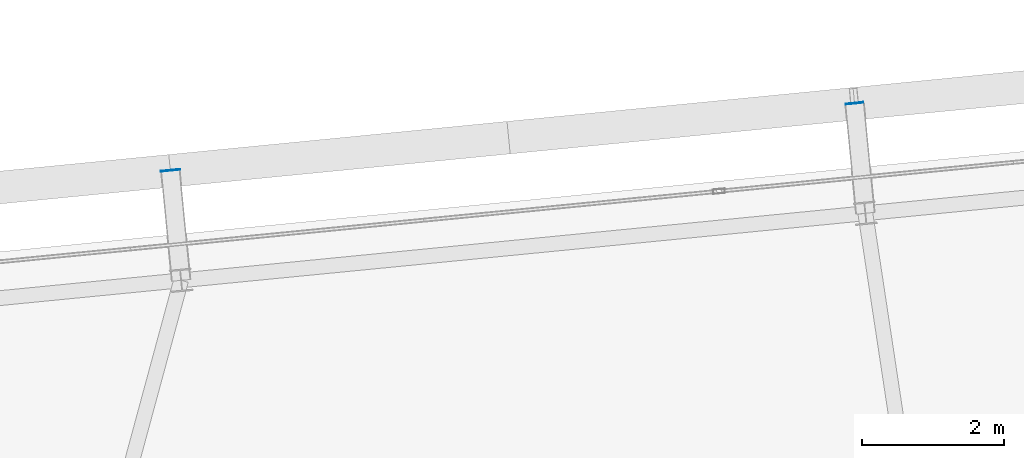
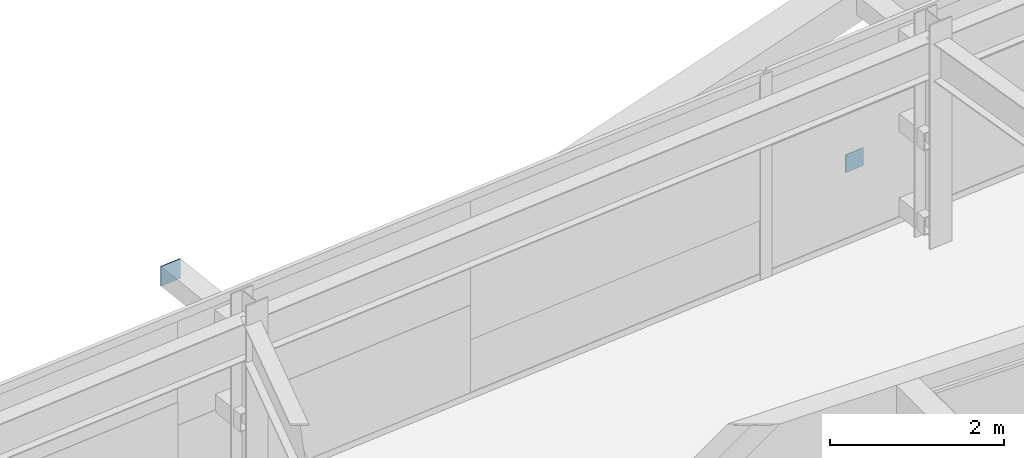
# One storey, part 39 of 47: 2 plates.
"""IFC4 building model written with IfcOpenShell, lengths in metres."""

from ifc_helpers import new_model, si_unit, direction, frame, origin, origin_2d, place, context, subcontext, project, spatial, rectangle, extrude, source, transform, mapped, material, layer, layer_set, type_object, element, save


model = new_model("IFC4")

# Units and contexts
model_context = context("Model", 3, precision=1e-05, world=origin(), true_north=direction((0.0, 1.0)))
body_context = subcontext(model_context, "Body", "Model", "MODEL_VIEW")
ifc_project = project(units=[si_unit("LENGTHUNIT", "METRE"), si_unit("AREAUNIT", "SQUARE_METRE"), si_unit("VOLUMEUNIT", "CUBIC_METRE"), si_unit("PLANEANGLEUNIT", "RADIAN"), si_unit("MASSUNIT", "GRAM", prefix="KILO")], contexts=[model_context])

# Site, building, storey
site_placement = place(None, origin())
site = spatial("IfcSite", under=ifc_project, at=site_placement, CompositionType="ELEMENT")
building_placement = place(site_placement, origin())
building = spatial("IfcBuilding", under=site, at=building_placement, Name="Taldren Reach Tower", CompositionType="ELEMENT")
storey_placement = place(building_placement, frame((0.0, 0.0, 109.199951171875)))
storey = spatial("IfcBuildingStorey", under=building, at=storey_placement, Name="L33", CompositionType="ELEMENT", Elevation=109.199951171875)

# Plates
ifc_material_1 = material(Name="Steel Gr 450 (C450L0)", Category="steel")
ifc_layer_1 = layer(ifc_material_1, 0.011962890625)
ifc_layer_set_1 = layer_set([ifc_layer_1], Name="Steel Gr 450 (C450L0)")
plate_type_1 = type_object("IfcPlateType", Name="PL-CAP-275", PredefinedType="SHEET", material=ifc_layer_set_1)
shared_shape_1 = source(origin(), body_context, "Body", "SweptSolid", [
    extrude(rectangle(XDim=0.27490234375, YDim=0.011962890625, at=origin_2d()), origin(), (0.0, 0.0, 1.0), 0.27490234375),
])
plate_1_placement = place(storey_placement, frame((40.346435546875, 38.33935546875, 2.45263671875), z_axis=(0.0, 0.0, 1.0), x_axis=(0.995227399982, 0.097582899759, 0.0)))
element("IfcPlate", 1, at=plate_1_placement, inside=storey, type_object=plate_type_1, Name="Tie strut end cap plate B2-N4 L33", PredefinedType="SHEET", context=body_context, shape_type="MappedRepresentation", body=[
    mapped(shared_shape_1, transform((0.0, 0.0, 0.0), scale=1.0)),
])
ifc_material_2 = material(Name="Steel Gr 350 (C350L0)", Category="steel")
ifc_layer_2 = layer(ifc_material_2, 0.011962890625)
ifc_layer_set_2 = layer_set([ifc_layer_2], Name="Steel Gr 350 (C350L0)")
plate_type_2 = type_object("IfcPlateType", Name="PL-CAP-250", PredefinedType="SHEET", material=ifc_layer_set_2)
shared_shape_2 = source(origin(), body_context, "Body", "SweptSolid", [
    extrude(rectangle(XDim=0.25, YDim=0.011962890625, at=origin_2d()), origin(), (0.0, 0.0, 1.0), 0.25),
])
plate_2_placement = place(storey_placement, frame((49.980224609375, 39.283935546875, 0.094970703125), z_axis=(0.0, 0.0, 1.0), x_axis=(0.995227399982, 0.097582899759, 0.0)))
element("IfcPlate", 2, at=plate_2_placement, inside=storey, type_object=plate_type_2, Name="Tie strut end cap plate B2-N5 L33", PredefinedType="SHEET", context=body_context, shape_type="MappedRepresentation", body=[
    mapped(shared_shape_2, transform((0.0, 0.0, 0.0), scale=1.0)),
])

save(model, "model.ifc")
